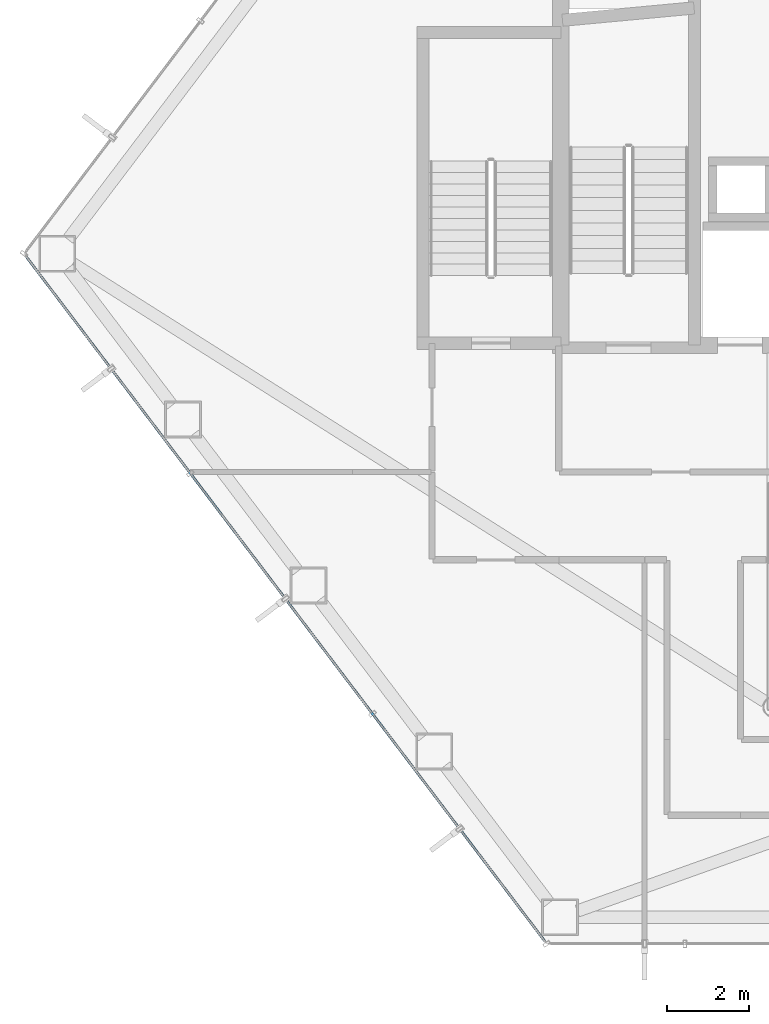
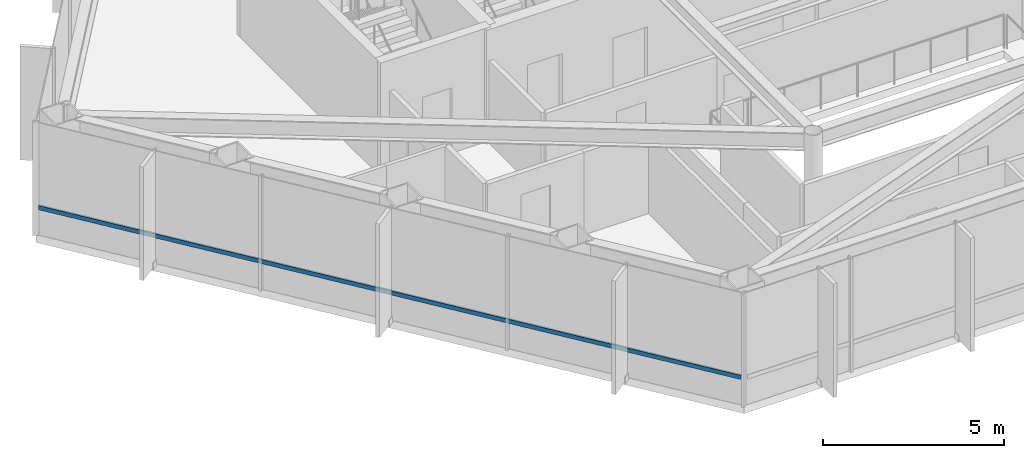
# One storey, part 3 of 24: 1 member, 1 element without a shape of its own.
"""IFC4 building model written with IfcOpenShell, lengths in metres."""

from ifc_helpers import new_model, si_unit, direction, frame, origin, origin_2d, place, context, subcontext, project, spatial, hollow_rectangle, extrude, material, layer, layer_set, material_profile, profile_set, type_object, element, aggregate, save


model = new_model("IFC4")

# Units and contexts
model_context = context("Model", 3, precision=1e-05, world=origin(), true_north=direction((0.0, 1.0)))
body_context = subcontext(model_context, "Body", "Model", "MODEL_VIEW")
ifc_project = project(units=[si_unit("LENGTHUNIT", "METRE"), si_unit("AREAUNIT", "SQUARE_METRE"), si_unit("VOLUMEUNIT", "CUBIC_METRE"), si_unit("PLANEANGLEUNIT", "RADIAN"), si_unit("MASSUNIT", "GRAM", prefix="KILO")], contexts=[model_context])

# Site, building, storey
site_placement = place(None, origin())
site = spatial("IfcSite", under=ifc_project, at=site_placement, CompositionType="ELEMENT")
building_placement = place(site_placement, origin())
building = spatial("IfcBuilding", under=site, at=building_placement, Name="Zarrinselat Tower", CompositionType="ELEMENT")
storey_placement = place(building_placement, frame((0.0, 0.0, 72.419921875)))
storey = spatial("IfcBuildingStorey", under=building, at=storey_placement, Name="L17", CompositionType="ELEMENT", Elevation=72.419921875)

# Curtain wall, member
ifc_material_1 = material(Name="Extruded Aluminium Alloy EN AW-6063 T6", Category="aluminium")
ifc_layer = layer(ifc_material_1, 0.18505859375)
ifc_layer_set = layer_set([ifc_layer], Name="Extruded Aluminium Alloy EN AW-6063 T6")
curtain_wall_type = type_object("IfcCurtainWallType", Name="CWS-OFF", PredefinedType="NOTDEFINED", material=ifc_layer_set)
curtain_wall_placement = place(storey_placement, origin())
curtain_wall = element("IfcCurtainWall", 1, at=curtain_wall_placement, inside=storey, type_object=curtain_wall_type, Name="L17 Unitised Curtain Wall CW-L17-E03", PredefinedType="NOTDEFINED")
ifc_material_2 = material(Name="Extruded Aluminium Alloy EN AW-6063 T6", Category="aluminium")
ifc_material_profile = material_profile(ifc_material_2, hollow_rectangle(XDim=0.06005859375, YDim=0.139892578125, WallThickness=0.00390625, at=origin_2d()), Name="RHS 140x60x4")
ifc_profile_set = profile_set([ifc_material_profile], Name="Extruded Aluminium Alloy EN AW-6063 T6")
member_type = type_object("IfcMemberType", Name="MEM-CW-TRN", PredefinedType="USERDEFINED", material=ifc_profile_set)
member_placement = place(storey_placement, frame((15.519775390625, 35.415283203125, 0.9501953125), z_axis=(0.603850972878, -0.797097235319, 0.0), x_axis=(0.797097235319, 0.603850972878, 0.0)))
member = element("IfcMember", 2, at=member_placement, type_object=member_type, Name="CW-L17-E03 Transom 1", ObjectType="TRANSOM", PredefinedType="USERDEFINED", context=body_context, shape_type="SweptSolid", body=[
    extrude(hollow_rectangle(XDim=0.06005859375, YDim=0.139892578125, WallThickness=0.00390625, at=origin_2d()), origin(), (0.0, 0.0, 1.0), 20.999755859375),
])
aggregate(curtain_wall, [member])

save(model, "model.ifc")
